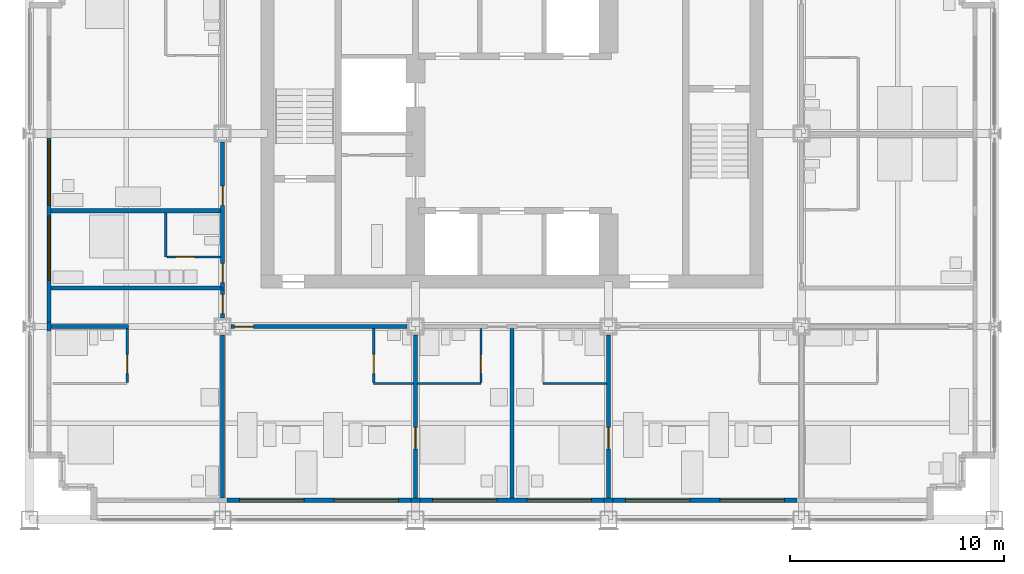
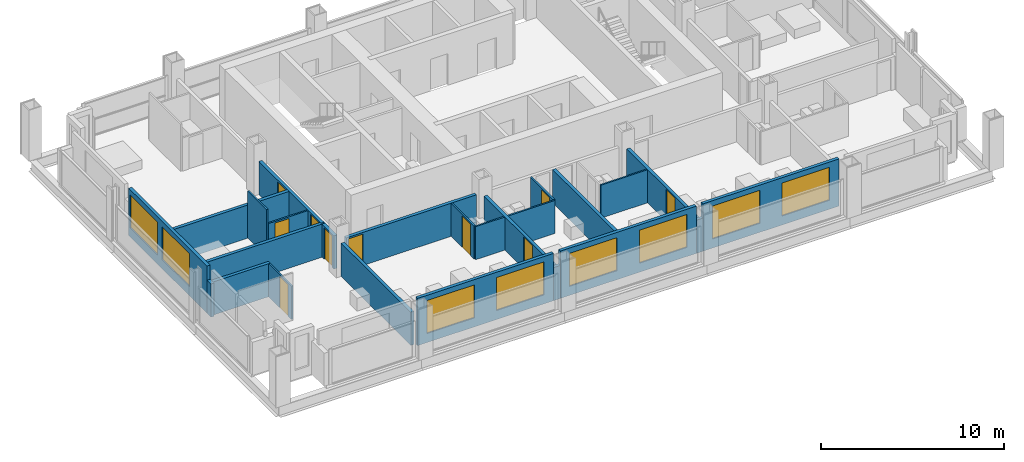
# One storey, part 7 of 13: 25 walls, 10 doors, 8 windows, 18 openings.
"""IFC4 building model written with IfcOpenShell, lengths in metres."""

from ifc_helpers import new_model, si_unit, direction, frame, frame_2d, origin, place, context, subcontext, project, spatial, rectangle, extrude, material, layer, layer_set, type_object, element, fill, save


model = new_model("IFC4")

# Units and contexts
model_context = context("Model", 3, precision=1e-05, world=origin(), true_north=direction((0.0, 1.0)))
body_context = subcontext(model_context, "Body", "Model", "MODEL_VIEW")
ifc_project = project(units=[si_unit("LENGTHUNIT", "METRE"), si_unit("AREAUNIT", "SQUARE_METRE"), si_unit("VOLUMEUNIT", "CUBIC_METRE"), si_unit("PLANEANGLEUNIT", "RADIAN"), si_unit("MASSUNIT", "GRAM", prefix="KILO")], contexts=[model_context])

# Site, building, storey
site_placement = place(None, origin())
site = spatial("IfcSite", under=ifc_project, at=site_placement, CompositionType="ELEMENT")
building_placement = place(site_placement, origin())
building = spatial("IfcBuilding", under=site, at=building_placement, Name="Loomwork Tower", CompositionType="ELEMENT")
storey_placement = place(building_placement, frame((0.0, 0.0, 218.199951171875)))
storey = spatial("IfcBuildingStorey", under=building, at=storey_placement, Name="L60", CompositionType="ELEMENT", Elevation=218.199951171875)

# Wall
ifc_material_1 = material(Name="Gypsum board on steel studs, one-hour", Category="steel")
ifc_layer_1 = layer(ifc_material_1, 0.199951171875)
ifc_layer_set_1 = layer_set([ifc_layer_1], Name="Corridor wall 200")
wall_type_1 = type_object("IfcWallType", Name="Corridor wall 200", PredefinedType="PARTITIONING", material=ifc_layer_set_1)
wall_1_placement = place(storey_placement, frame((1.0, 9.0, 0.0), z_axis=(0.0, 0.0, 1.0), x_axis=(1.0, 0.0, 0.0)))
element("IfcWall", 1, at=wall_1_placement, inside=storey, type_object=wall_type_1, Name="South corridor wall 1", PredefinedType="PARTITIONING", context=body_context, shape_type="SweptSolid", body=[
    extrude(rectangle(XDim=3.60009765625, YDim=0.199951171875, at=frame_2d((1.800048828125, 0.0))), origin(), (0.0, 0.0, 1.0), 2.210205078125),
])

# Wall, opening, door
wall_2_placement = place(storey_placement, frame((9.39990234375, 9.0, 0.0), z_axis=(0.0, 0.0, 1.0), x_axis=(1.0, 0.0, 0.0)))
wall_2 = element("IfcWall", 2, at=wall_2_placement, inside=storey, type_object=wall_type_1, Name="South corridor wall 2", PredefinedType="PARTITIONING", context=body_context, shape_type="SweptSolid", body=[
    extrude(rectangle(XDim=8.2001953125, YDim=0.199951171875, at=frame_2d((4.10009765625, 0.0))), origin(), (0.0, 0.0, 1.0), 2.210205078125),
])
opening_1_placement = place(wall_2_placement, frame((0.14990234375, 0.0, 0.0)))
opening_1 = element("IfcOpeningElement", 3, at=opening_1_placement, cuts=wall_2, Name="Opening D1", PredefinedType="OPENING", context=body_context, shape_type="SweptSolid", body=[
    extrude(rectangle(XDim=0.89990234375, YDim=2.10009765625, at=frame_2d((0.449951171875, 1.050048828125))), frame((0.0, 0.10986328125, 0.0), z_axis=(0.0, -1.0, 0.0), x_axis=(1.0, 0.0, 0.0)), (0.0, 0.0, 1.0), 0.219970703125),
])
ifc_material_2 = material(Name="Hollow metal door and frame")
door_type_1 = type_object("IfcDoorType", Name="Guest room entry door 900", OperationType="SINGLE_SWING_LEFT", PredefinedType="DOOR", material=ifc_material_2)
door_1_placement = place(opening_1_placement, frame((0.89990234375, 0.0, 0.0), z_axis=(0.0, 0.0, 1.0), x_axis=(-1.0, 0.0, 0.0)))
door_1 = element("IfcDoor", 4, at=door_1_placement, inside=storey, type_object=door_type_1, Name="Guest room entry door L60 2", OperationType="SINGLE_SWING_RIGHT", OverallHeight=2.10009765625, OverallWidth=0.89990234375, PredefinedType="DOOR", context=body_context, shape_type="SweptSolid", body=[
    extrude(rectangle(XDim=0.89990234375, YDim=2.10009765625, at=frame_2d((0.449951171875, 1.050048828125))), frame((0.0, 0.02490234375, 0.0), z_axis=(0.0, -1.0, 0.0), x_axis=(1.0, 0.0, 0.0)), (0.0, 0.0, 1.0), 0.050048828125),
])
fill(opening_1, door_1)

# Wall, openings, doors
wall_3_placement = place(storey_placement, frame((9.0, 10.800048828125, 0.0), z_axis=(0.0, 0.0, 1.0), x_axis=(0.0, 1.0, 0.0)))
wall_3 = element("IfcWall", 5, at=wall_3_placement, inside=storey, type_object=wall_type_1, Name="West corridor wall 1", PredefinedType="PARTITIONING", context=body_context, shape_type="SweptSolid", body=[
    extrude(rectangle(XDim=6.800048828125, YDim=0.199951171875, at=frame_2d((3.39990234375, 0.0))), origin(), (0.0, 0.0, 1.0), 2.210205078125),
])
opening_2_placement = place(wall_3_placement, frame((0.25, 0.0, 0.0)))
opening_2 = element("IfcOpeningElement", 6, at=opening_2_placement, cuts=wall_3, Name="Opening D1", PredefinedType="OPENING", context=body_context, shape_type="SweptSolid", body=[
    extrude(rectangle(XDim=0.89990234375, YDim=2.10009765625, at=frame_2d((0.449951171875, 1.050048828125))), frame((0.0, 0.10986328125, 0.0), z_axis=(0.0, -1.0, 0.0), x_axis=(1.0, 0.0, 0.0)), (0.0, 0.0, 1.0), 0.219970703125),
])
opening_3_placement = place(wall_3_placement, frame((3.85009765625, 0.0, 0.0)))
opening_3 = element("IfcOpeningElement", 7, at=opening_3_placement, cuts=wall_3, Name="Opening D1", PredefinedType="OPENING", context=body_context, shape_type="SweptSolid", body=[
    extrude(rectangle(XDim=0.89990234375, YDim=2.10009765625, at=frame_2d((0.449951171875, 1.050048828125))), frame((0.0, 0.10986328125, 0.0), z_axis=(0.0, -1.0, 0.0), x_axis=(1.0, 0.0, 0.0)), (0.0, 0.0, 1.0), 0.219970703125),
])
door_2_placement = place(opening_2_placement, origin())
door_2 = element("IfcDoor", 8, at=door_2_placement, inside=storey, type_object=door_type_1, Name="Guest room entry door L60 7", OperationType="SINGLE_SWING_LEFT", OverallHeight=2.10009765625, OverallWidth=0.89990234375, PredefinedType="DOOR", context=body_context, shape_type="SweptSolid", body=[
    extrude(rectangle(XDim=0.89990234375, YDim=2.10009765625, at=frame_2d((0.449951171875, 1.050048828125))), frame((0.0, 0.02490234375, 0.0), z_axis=(0.0, -1.0, 0.0), x_axis=(1.0, 0.0, 0.0)), (0.0, 0.0, 1.0), 0.050048828125),
])
fill(opening_2, door_2)
door_3_placement = place(opening_3_placement, origin())
door_3 = element("IfcDoor", 9, at=door_3_placement, inside=storey, type_object=door_type_1, Name="Guest room entry door L60 8", OperationType="SINGLE_SWING_LEFT", OverallHeight=2.10009765625, OverallWidth=0.89990234375, PredefinedType="DOOR", context=body_context, shape_type="SweptSolid", body=[
    extrude(rectangle(XDim=0.89990234375, YDim=2.10009765625, at=frame_2d((0.449951171875, 1.050048828125))), frame((0.0, 0.02490234375, 0.0), z_axis=(0.0, -1.0, 0.0), x_axis=(1.0, 0.0, 0.0)), (0.0, 0.0, 1.0), 0.050048828125),
])
fill(opening_3, door_3)

# Wall
wall_4_placement = place(storey_placement, frame((1.0, 10.800048828125, 0.0), z_axis=(0.0, 0.0, 1.0), x_axis=(1.0, 0.0, 0.0)))
element("IfcWall", 10, at=wall_4_placement, inside=storey, type_object=wall_type_1, Name="West band end wall S", PredefinedType="PARTITIONING", context=body_context, shape_type="SweptSolid", body=[
    extrude(rectangle(XDim=8.10009765625, YDim=0.199951171875, at=frame_2d((4.050048828125, 0.0))), origin(), (0.0, 0.0, 1.0), 2.2099609375),
])

# Wall, opening, door
wall_5_placement = place(storey_placement, frame((9.0, 9.39990234375, 0.0), z_axis=(0.0, 0.0, 1.0), x_axis=(0.0, 1.0, 0.0)))
wall_5 = element("IfcWall", 11, at=wall_5_placement, inside=storey, type_object=wall_type_1, Name="Corner suite foyer wall", PredefinedType="PARTITIONING", context=body_context, shape_type="SweptSolid", body=[
    extrude(rectangle(XDim=1.300048828125, YDim=0.199951171875, at=frame_2d((0.64990234375, 0.0))), origin(), (0.0, 0.0, 1.0), 2.210205078125),
])
opening_4_placement = place(wall_5_placement, frame((0.199951171875, 0.0, 0.0)))
opening_4 = element("IfcOpeningElement", 12, at=opening_4_placement, cuts=wall_5, Name="Opening D1", PredefinedType="OPENING", context=body_context, shape_type="SweptSolid", body=[
    extrude(rectangle(XDim=0.89990234375, YDim=2.10009765625, at=frame_2d((0.449951171875, 1.050048828125))), frame((0.0, 0.10986328125, 0.0), z_axis=(0.0, -1.0, 0.0), x_axis=(1.0, 0.0, 0.0)), (0.0, 0.0, 1.0), 0.219970703125),
])
door_4_placement = place(opening_4_placement, origin())
door_4 = element("IfcDoor", 13, at=door_4_placement, inside=storey, type_object=door_type_1, Name="Guest room entry door L60 1", OperationType="SINGLE_SWING_RIGHT", OverallHeight=2.10009765625, OverallWidth=0.89990234375, PredefinedType="DOOR", context=body_context, shape_type="SweptSolid", body=[
    extrude(rectangle(XDim=0.89990234375, YDim=2.10009765625, at=frame_2d((0.449951171875, 1.050048828125))), frame((0.0, 0.02490234375, 0.0), z_axis=(0.0, -1.0, 0.0), x_axis=(1.0, 0.0, 0.0)), (0.0, 0.0, 1.0), 0.050048828125),
])
fill(opening_4, door_4)

ifc_material_3 = material(Name="Cement board on steel studs", Category="steel")
ifc_layer_2 = layer(ifc_material_3, 0.10009765625)
ifc_layer_set_2 = layer_set([ifc_layer_2], Name="En-suite partition 100")
wall_type_2 = type_object("IfcWallType", Name="En-suite partition 100", PredefinedType="PARTITIONING", material=ifc_layer_set_2)
wall_6_placement = place(storey_placement, frame((4.550048828125, 8.89990234375, 0.0), z_axis=(0.0, 0.0, 1.0), x_axis=(0.0, -1.0, 0.0)))
wall_6 = element("IfcWall", 14, at=wall_6_placement, inside=storey, type_object=wall_type_2, Name="En-suite side wall L60 room 1", PredefinedType="PARTITIONING", context=body_context, shape_type="SweptSolid", body=[
    extrude(rectangle(XDim=2.5, YDim=0.10009765625, at=frame_2d((1.25, 0.0))), origin(), (0.0, 0.0, 1.0), 2.2099609375),
])
opening_5_placement = place(wall_6_placement, frame((1.199951171875, 0.0, 0.0)))
opening_5 = element("IfcOpeningElement", 15, at=opening_5_placement, cuts=wall_6, Name="Opening D3", PredefinedType="OPENING", context=body_context, shape_type="SweptSolid", body=[
    extrude(rectangle(XDim=0.89990234375, YDim=2.10009765625, at=frame_2d((0.449951171875, 1.050048828125))), frame((0.0, 0.06005859375, 0.0), z_axis=(0.0, -1.0, 0.0), x_axis=(1.0, 0.0, 0.0)), (0.0, 0.0, 1.0), 0.1201171875),
])
ifc_material_4 = material(Name="Hollow metal door and frame")
door_type_2 = type_object("IfcDoorType", Name="Accessible en-suite door 900", OperationType="SLIDING_TO_LEFT", PredefinedType="DOOR", material=ifc_material_4)
door_5_placement = place(opening_5_placement, origin())
door_5 = element("IfcDoor", 16, at=door_5_placement, inside=storey, type_object=door_type_2, Name="Accessible en-suite door room 1", OperationType="SLIDING_TO_LEFT", OverallHeight=2.10009765625, OverallWidth=0.89990234375, PredefinedType="DOOR", context=body_context, shape_type="SweptSolid", body=[
    extrude(rectangle(XDim=0.89990234375, YDim=2.10009765625, at=frame_2d((0.449951171875, 1.050048828125))), frame((0.0, 0.02490234375, 0.0), z_axis=(0.0, -1.0, 0.0), x_axis=(1.0, 0.0, 0.0)), (0.0, 0.0, 1.0), 0.050048828125),
])
fill(opening_5, door_5)

# Wall
wall_7_placement = place(storey_placement, frame((16.050048828125, 6.35009765625, 0.0), z_axis=(0.0, 0.0, 1.0), x_axis=(1.0, 0.0, 0.0)))
element("IfcWall", 17, at=wall_7_placement, inside=storey, type_object=wall_type_2, Name="En-suite wall L60 room 2", PredefinedType="PARTITIONING", context=body_context, shape_type="SweptSolid", body=[
    extrude(rectangle(XDim=1.849853515625, YDim=0.10009765625, at=frame_2d((0.9248046875, 0.0))), origin(), (0.0, 0.0, 1.0), 2.2021484375),
])

# Wall, opening, door
wall_8_placement = place(storey_placement, frame((16.050048828125, 8.89990234375, 0.0), z_axis=(0.0, 0.0, 1.0), x_axis=(0.0, -1.0, 0.0)))
wall_8 = element("IfcWall", 18, at=wall_8_placement, inside=storey, type_object=wall_type_2, Name="En-suite side wall L60 room 2", PredefinedType="PARTITIONING", context=body_context, shape_type="SweptSolid", body=[
    extrude(rectangle(XDim=2.5, YDim=0.10009765625, at=frame_2d((1.25, 0.0))), origin(), (0.0, 0.0, 1.0), 2.2099609375),
])
opening_6_placement = place(wall_8_placement, frame((1.199951171875, 0.0, 0.0)))
opening_6 = element("IfcOpeningElement", 19, at=opening_6_placement, cuts=wall_8, Name="Opening D2", PredefinedType="OPENING", context=body_context, shape_type="SweptSolid", body=[
    extrude(rectangle(XDim=0.89990234375, YDim=2.10009765625, at=frame_2d((0.449951171875, 1.050048828125))), frame((0.0, 0.06005859375, 0.0), z_axis=(0.0, -1.0, 0.0), x_axis=(1.0, 0.0, 0.0)), (0.0, 0.0, 1.0), 0.1201171875),
])
ifc_material_5 = material(Name="Hollow metal door and frame")
door_type_3 = type_object("IfcDoorType", Name="En-suite door 900", OperationType="SINGLE_SWING_LEFT", PredefinedType="DOOR", material=ifc_material_5)
door_6_placement = place(opening_6_placement, origin())
door_6 = element("IfcDoor", 20, at=door_6_placement, inside=storey, type_object=door_type_3, Name="Suite powder room door room 2", OperationType="SINGLE_SWING_RIGHT", OverallHeight=2.10009765625, OverallWidth=0.89990234375, PredefinedType="DOOR", context=body_context, shape_type="SweptSolid", body=[
    extrude(rectangle(XDim=0.89990234375, YDim=2.10009765625, at=frame_2d((0.449951171875, 1.050048828125))), frame((0.0, 0.02490234375, 0.0), z_axis=(0.0, -1.0, 0.0), x_axis=(1.0, 0.0, 0.0)), (0.0, 0.0, 1.0), 0.050048828125),
])
fill(opening_6, door_6)

# Wall
wall_9_placement = place(storey_placement, frame((18.10009765625, 6.35009765625, 0.0), z_axis=(0.0, 0.0, 1.0), x_axis=(1.0, 0.0, 0.0)))
element("IfcWall", 21, at=wall_9_placement, inside=storey, type_object=wall_type_2, Name="En-suite wall L60 room 3", PredefinedType="PARTITIONING", context=body_context, shape_type="SweptSolid", body=[
    extrude(rectangle(XDim=2.949951171875, YDim=0.10009765625, at=frame_2d((1.47509765625, 0.0))), origin(), (0.0, 0.0, 1.0), 2.2021484375),
])

# Wall, opening, door
wall_10_placement = place(storey_placement, frame((21.050048828125, 8.89990234375, 0.0), z_axis=(0.0, 0.0, 1.0), x_axis=(0.0, -1.0, 0.0)))
wall_10 = element("IfcWall", 22, at=wall_10_placement, inside=storey, type_object=wall_type_2, Name="En-suite side wall L60 room 3", PredefinedType="PARTITIONING", context=body_context, shape_type="SweptSolid", body=[
    extrude(rectangle(XDim=2.5, YDim=0.10009765625, at=frame_2d((1.25, 0.0))), origin(), (0.0, 0.0, 1.0), 2.2099609375),
])
opening_7_placement = place(wall_10_placement, frame((1.199951171875, 0.0, 0.0)))
opening_7 = element("IfcOpeningElement", 23, at=opening_7_placement, cuts=wall_10, Name="Opening D2", PredefinedType="OPENING", context=body_context, shape_type="SweptSolid", body=[
    extrude(rectangle(XDim=0.89990234375, YDim=2.10009765625, at=frame_2d((0.449951171875, 1.050048828125))), frame((0.0, 0.06005859375, 0.0), z_axis=(0.0, -1.0, 0.0), x_axis=(1.0, 0.0, 0.0)), (0.0, 0.0, 1.0), 0.1201171875),
])
door_7_placement = place(opening_7_placement, frame((0.89990234375, 0.0, 0.0), z_axis=(0.0, 0.0, 1.0), x_axis=(-1.0, 0.0, 0.0)))
door_7 = element("IfcDoor", 24, at=door_7_placement, inside=storey, type_object=door_type_3, Name="En-suite door room 3", OperationType="SINGLE_SWING_LEFT", OverallHeight=2.10009765625, OverallWidth=0.89990234375, PredefinedType="DOOR", context=body_context, shape_type="SweptSolid", body=[
    extrude(rectangle(XDim=0.89990234375, YDim=2.10009765625, at=frame_2d((0.449951171875, 1.050048828125))), frame((0.0, 0.02490234375, 0.0), z_axis=(0.0, -1.0, 0.0), x_axis=(1.0, 0.0, 0.0)), (0.0, 0.0, 1.0), 0.050048828125),
])
fill(opening_7, door_7)

# Walls
wall_11_placement = place(storey_placement, frame((23.949951171875, 6.35009765625, 0.0), z_axis=(0.0, 0.0, 1.0), x_axis=(1.0, 0.0, 0.0)))
element("IfcWall", 25, at=wall_11_placement, inside=storey, type_object=wall_type_2, Name="En-suite wall L60 room 4", PredefinedType="PARTITIONING", context=body_context, shape_type="SweptSolid", body=[
    extrude(rectangle(XDim=2.949951171875, YDim=0.10009765625, at=frame_2d((1.47509765625, 0.0))), origin(), (0.0, 0.0, 1.0), 2.2021484375),
])
wall_12_placement = place(storey_placement, frame((6.35009765625, 12.25, 0.0), z_axis=(0.0, 0.0, 1.0), x_axis=(0.0, 1.0, 0.0)))
element("IfcWall", 26, at=wall_12_placement, inside=storey, type_object=wall_type_2, Name="En-suite wall L60 room 7", PredefinedType="PARTITIONING", context=body_context, shape_type="SweptSolid", body=[
    extrude(rectangle(XDim=2.050048828125, YDim=0.10009765625, at=frame_2d((1.02490234375, 0.0))), origin(), (0.0, 0.0, 1.0), 3.150146484375),
])

# Wall, opening, door
wall_13_placement = place(storey_placement, frame((8.89990234375, 12.25, 0.0), z_axis=(0.0, 0.0, 1.0), x_axis=(-1.0, 0.0, 0.0)))
wall_13 = element("IfcWall", 27, at=wall_13_placement, inside=storey, type_object=wall_type_2, Name="En-suite side wall L60 room 7", PredefinedType="PARTITIONING", context=body_context, shape_type="SweptSolid", body=[
    extrude(rectangle(XDim=2.5, YDim=0.10009765625, at=frame_2d((1.25, 0.0))), origin(), (0.0, 0.0, 1.0), 2.2099609375),
])
opening_8_placement = place(wall_13_placement, frame((1.199951171875, 0.0, 0.0)))
opening_8 = element("IfcOpeningElement", 28, at=opening_8_placement, cuts=wall_13, Name="Opening D2", PredefinedType="OPENING", context=body_context, shape_type="SweptSolid", body=[
    extrude(rectangle(XDim=0.89990234375, YDim=2.10009765625, at=frame_2d((0.449951171875, 1.050048828125))), frame((0.0, 0.06005859375, 0.0), z_axis=(0.0, -1.0, 0.0), x_axis=(1.0, 0.0, 0.0)), (0.0, 0.0, 1.0), 0.1201171875),
])
door_8_placement = place(opening_8_placement, frame((0.89990234375, 0.0, 0.0), z_axis=(0.0, 0.0, 1.0), x_axis=(-1.0, 0.0, 0.0)))
door_8 = element("IfcDoor", 29, at=door_8_placement, inside=storey, type_object=door_type_3, Name="En-suite door room 7", OperationType="SINGLE_SWING_LEFT", OverallHeight=2.10009765625, OverallWidth=0.89990234375, PredefinedType="DOOR", context=body_context, shape_type="SweptSolid", body=[
    extrude(rectangle(XDim=0.89990234375, YDim=2.10009765625, at=frame_2d((0.449951171875, 1.050048828125))), frame((0.0, 0.02490234375, 0.0), z_axis=(0.0, -1.0, 0.0), x_axis=(1.0, 0.0, 0.0)), (0.0, 0.0, 1.0), 0.050048828125),
])
fill(opening_8, door_8)

# Wall
ifc_material_6 = material(Name="Gypsum board on steel studs, acoustic", Category="steel")
ifc_layer_3 = layer(ifc_material_6, 0.199951171875)
ifc_layer_set_3 = layer_set([ifc_layer_3], Name="Guest room party wall 200")
wall_type_3 = type_object("IfcWallType", Name="Guest room party wall 200", PredefinedType="PARTITIONING", material=ifc_layer_set_3)
wall_14_placement = place(storey_placement, frame((9.0, 8.60009765625, 0.0), z_axis=(0.0, 0.0, 1.0), x_axis=(0.0, -1.0, 0.0)))
element("IfcWall", 30, at=wall_14_placement, inside=storey, type_object=wall_type_3, Name="Guest room party wall S 9", PredefinedType="PARTITIONING", context=body_context, shape_type="SweptSolid", body=[
    extrude(rectangle(XDim=7.60009765625, YDim=0.199951171875, at=frame_2d((3.800048828125, 0.0))), origin(), (0.0, 0.0, 1.0), 2.210205078125),
])

# Wall, opening, door
wall_15_placement = place(storey_placement, frame((18.0, 8.60009765625, 0.0), z_axis=(0.0, 0.0, 1.0), x_axis=(0.0, -1.0, 0.0)))
wall_15 = element("IfcWall", 31, at=wall_15_placement, inside=storey, type_object=wall_type_3, Name="Guest room party wall S 18", PredefinedType="PARTITIONING", context=body_context, shape_type="SweptSolid", body=[
    extrude(rectangle(XDim=7.60009765625, YDim=0.199951171875, at=frame_2d((3.800048828125, 0.0))), origin(), (0.0, 0.0, 1.0), 2.20263671875),
])
opening_9_placement = place(wall_15_placement, frame((4.300048828125, 0.0, 0.0)))
opening_9 = element("IfcOpeningElement", 32, at=opening_9_placement, cuts=wall_15, Name="Opening D7", PredefinedType="OPENING", context=body_context, shape_type="SweptSolid", body=[
    extrude(rectangle(XDim=1.0, YDim=2.10009765625, at=frame_2d((0.5, 1.050048828125))), frame((0.0, 0.10986328125, 0.0), z_axis=(0.0, -1.0, 0.0), x_axis=(1.0, 0.0, 0.0)), (0.0, 0.0, 1.0), 0.219970703125),
])
ifc_material_7 = material(Name="Hollow metal door and frame")
door_type_4 = type_object("IfcDoorType", Name="Room door 1000", OperationType="SINGLE_SWING_LEFT", PredefinedType="DOOR", material=ifc_material_7)
door_9_placement = place(opening_9_placement, origin())
door_9 = element("IfcDoor", 33, at=door_9_placement, inside=storey, type_object=door_type_4, Name="Suite connecting door L60 S 18", OperationType="SINGLE_SWING_LEFT", OverallHeight=2.10009765625, OverallWidth=1.0, PredefinedType="DOOR", context=body_context, shape_type="SweptSolid", body=[
    extrude(rectangle(XDim=1.0, YDim=2.10009765625, at=frame_2d((0.5, 1.050048828125))), frame((0.0, 0.02490234375, 0.0), z_axis=(0.0, -1.0, 0.0), x_axis=(1.0, 0.0, 0.0)), (0.0, 0.0, 1.0), 0.050048828125),
])
fill(opening_9, door_9)

# Wall
wall_16_placement = place(storey_placement, frame((22.5, 8.89990234375, 0.0), z_axis=(0.0, 0.0, 1.0), x_axis=(0.0, -1.0, 0.0)))
element("IfcWall", 34, at=wall_16_placement, inside=storey, type_object=wall_type_3, Name="Guest room party wall S 22.5", PredefinedType="PARTITIONING", context=body_context, shape_type="SweptSolid", body=[
    extrude(rectangle(XDim=7.89990234375, YDim=0.199951171875, at=frame_2d((3.949951171875, 0.0))), origin(), (0.0, 0.0, 1.0), 2.2099609375),
])

# Wall, opening, door
wall_17_placement = place(storey_placement, frame((27.0, 8.60009765625, 0.0), z_axis=(0.0, 0.0, 1.0), x_axis=(0.0, -1.0, 0.0)))
wall_17 = element("IfcWall", 35, at=wall_17_placement, inside=storey, type_object=wall_type_3, Name="Guest room party wall S 27", PredefinedType="PARTITIONING", context=body_context, shape_type="SweptSolid", body=[
    extrude(rectangle(XDim=7.60009765625, YDim=0.199951171875, at=frame_2d((3.800048828125, 0.0))), origin(), (0.0, 0.0, 1.0), 2.20263671875),
])
opening_10_placement = place(wall_17_placement, frame((4.300048828125, 0.0, 0.0)))
opening_10 = element("IfcOpeningElement", 36, at=opening_10_placement, cuts=wall_17, Name="Opening D7", PredefinedType="OPENING", context=body_context, shape_type="SweptSolid", body=[
    extrude(rectangle(XDim=1.0, YDim=2.10009765625, at=frame_2d((0.5, 1.050048828125))), frame((0.0, 0.10986328125, 0.0), z_axis=(0.0, -1.0, 0.0), x_axis=(1.0, 0.0, 0.0)), (0.0, 0.0, 1.0), 0.219970703125),
])
door_10_placement = place(opening_10_placement, frame((1.0, 0.0, 0.0), z_axis=(0.0, 0.0, 1.0), x_axis=(-1.0, 0.0, 0.0)))
door_10 = element("IfcDoor", 37, at=door_10_placement, inside=storey, type_object=door_type_4, Name="Suite connecting door L60 S 27", OperationType="SINGLE_SWING_RIGHT", OverallHeight=2.10009765625, OverallWidth=1.0, PredefinedType="DOOR", context=body_context, shape_type="SweptSolid", body=[
    extrude(rectangle(XDim=1.0, YDim=2.10009765625, at=frame_2d((0.5, 1.050048828125))), frame((0.0, 0.02490234375, 0.0), z_axis=(0.0, -1.0, 0.0), x_axis=(1.0, 0.0, 0.0)), (0.0, 0.0, 1.0), 0.050048828125),
])
fill(opening_10, door_10)

# Wall
wall_18_placement = place(storey_placement, frame((8.89990234375, 14.39990234375, 0.0), z_axis=(0.0, 0.0, 1.0), x_axis=(-1.0, 0.0, 0.0)))
element("IfcWall", 38, at=wall_18_placement, inside=storey, type_object=wall_type_3, Name="Guest room party wall W 14.4", PredefinedType="PARTITIONING", context=body_context, shape_type="SweptSolid", body=[
    extrude(rectangle(XDim=7.89990234375, YDim=0.199951171875, at=frame_2d((3.949951171875, 0.0))), origin(), (0.0, 0.0, 1.0), 2.2099609375),
])

# Wall, openings, windows
ifc_material_8 = material(Name="Insulated steel stud wall with gypsum lining", Category="steel")
ifc_layer_4 = layer(ifc_material_8, 0.199951171875)
ifc_layer_set_4 = layer_set([ifc_layer_4], Name="Inner skin wall 200")
wall_type_4 = type_object("IfcWallType", Name="Inner skin wall 200", PredefinedType="SOLIDWALL", material=ifc_layer_set_4)
wall_19_placement = place(storey_placement, frame((9.21533203125, 0.89990234375, 0.0), z_axis=(0.0, 0.0, 1.0), x_axis=(1.0, 0.0, 0.0)))
wall_19 = element("IfcWall", 39, at=wall_19_placement, inside=storey, type_object=wall_type_4, Name="Inner skin wall S bay 3", PredefinedType="SOLIDWALL", context=body_context, shape_type="SweptSolid", body=[
    extrude(rectangle(XDim=8.570556640625, YDim=0.199951171875, at=frame_2d((4.28515625, 0.0))), origin(), (0.0, 0.0, 1.0), 3.150146484375),
])
opening_11_placement = place(wall_19_placement, frame((0.584716796875, 0.0, 0.60009765625)))
opening_11 = element("IfcOpeningElement", 40, at=opening_11_placement, cuts=wall_19, Name="Opening CH1", PredefinedType="OPENING", context=body_context, shape_type="SweptSolid", body=[
    extrude(rectangle(XDim=3.0, YDim=2.199951171875, at=frame_2d((1.5, 1.10009765625))), frame((0.0, 0.10986328125, 0.0), z_axis=(0.0, -1.0, 0.0), x_axis=(1.0, 0.0, 0.0)), (0.0, 0.0, 1.0), 0.219970703125),
])
opening_12_placement = place(wall_19_placement, frame((4.984619140625, 0.0, 0.60009765625)))
opening_12 = element("IfcOpeningElement", 41, at=opening_12_placement, cuts=wall_19, Name="Opening CH1", PredefinedType="OPENING", context=body_context, shape_type="SweptSolid", body=[
    extrude(rectangle(XDim=3.0, YDim=2.199951171875, at=frame_2d((1.5, 1.10009765625))), frame((0.0, 0.10986328125, 0.0), z_axis=(0.0, -1.0, 0.0), x_axis=(1.0, 0.0, 0.0)), (0.0, 0.0, 1.0), 0.219970703125),
])
ifc_material_9 = material(Name="Aluminium frame with clear insulated glass", Category="aluminium")
window_type = type_object("IfcWindowType", Name="Chicago window 3000", PartitioningType="TRIPLE_PANEL_VERTICAL", PredefinedType="WINDOW", material=ifc_material_9)
window_1_placement = place(opening_11_placement, origin())
window_1 = element("IfcWindow", 42, at=window_1_placement, inside=storey, type_object=window_type, Name="Chicago window L60 bay 2", OverallHeight=2.199951171875, OverallWidth=3.0, PartitioningType="TRIPLE_PANEL_VERTICAL", PredefinedType="WINDOW", context=body_context, shape_type="SweptSolid", body=[
    extrude(rectangle(XDim=3.0, YDim=2.199951171875, at=frame_2d((1.5, 1.10009765625))), frame((0.0, 0.030029296875, 0.0), z_axis=(0.0, -1.0, 0.0), x_axis=(1.0, 0.0, 0.0)), (0.0, 0.0, 1.0), 0.06005859375),
])
fill(opening_11, window_1)
window_2_placement = place(opening_12_placement, origin())
window_2 = element("IfcWindow", 43, at=window_2_placement, inside=storey, type_object=window_type, Name="Chicago window L60 bay 2", OverallHeight=2.199951171875, OverallWidth=3.0, PartitioningType="TRIPLE_PANEL_VERTICAL", PredefinedType="WINDOW", context=body_context, shape_type="SweptSolid", body=[
    extrude(rectangle(XDim=3.0, YDim=2.199951171875, at=frame_2d((1.5, 1.10009765625))), frame((0.0, 0.030029296875, 0.0), z_axis=(0.0, -1.0, 0.0), x_axis=(1.0, 0.0, 0.0)), (0.0, 0.0, 1.0), 0.06005859375),
])
fill(opening_12, window_2)

# Wall
wall_20_placement = place(storey_placement, frame((17.785888671875, 0.89990234375, 0.0), z_axis=(0.0, 0.0, 1.0), x_axis=(1.0, 0.0, 0.0)))
element("IfcWall", 44, at=wall_20_placement, inside=storey, type_object=wall_type_4, Name="Inner skin wall S bay 4", PredefinedType="SOLIDWALL", context=body_context, shape_type="SweptSolid", body=[
    extrude(rectangle(XDim=0.42822265625, YDim=0.199951171875, at=frame_2d((0.214111328125, 0.0))), origin(), (0.0, 0.0, 1.0), 2.2021484375),
])

# Wall, openings, windows
wall_21_placement = place(storey_placement, frame((18.214111328125, 0.89990234375, 0.0), z_axis=(0.0, 0.0, 1.0), x_axis=(1.0, 0.0, 0.0)))
wall_21 = element("IfcWall", 45, at=wall_21_placement, inside=storey, type_object=wall_type_4, Name="Inner skin wall S bay 5", PredefinedType="SOLIDWALL", context=body_context, shape_type="SweptSolid", body=[
    extrude(rectangle(XDim=8.57177734375, YDim=0.199951171875, at=frame_2d((4.285888671875, 0.0))), origin(), (0.0, 0.0, 1.0), 3.150146484375),
])
opening_13_placement = place(wall_21_placement, frame((0.5859375, 0.0, 0.60009765625)))
opening_13 = element("IfcOpeningElement", 46, at=opening_13_placement, cuts=wall_21, Name="Opening CH1", PredefinedType="OPENING", context=body_context, shape_type="SweptSolid", body=[
    extrude(rectangle(XDim=3.0, YDim=2.199951171875, at=frame_2d((1.5, 1.10009765625))), frame((0.0, 0.10986328125, 0.0), z_axis=(0.0, -1.0, 0.0), x_axis=(1.0, 0.0, 0.0)), (0.0, 0.0, 1.0), 0.219970703125),
])
opening_14_placement = place(wall_21_placement, frame((4.98583984375, 0.0, 0.60009765625)))
opening_14 = element("IfcOpeningElement", 47, at=opening_14_placement, cuts=wall_21, Name="Opening CH1", PredefinedType="OPENING", context=body_context, shape_type="SweptSolid", body=[
    extrude(rectangle(XDim=3.0, YDim=2.199951171875, at=frame_2d((1.5, 1.10009765625))), frame((0.0, 0.10986328125, 0.0), z_axis=(0.0, -1.0, 0.0), x_axis=(1.0, 0.0, 0.0)), (0.0, 0.0, 1.0), 0.219970703125),
])
window_3_placement = place(opening_13_placement, origin())
window_3 = element("IfcWindow", 48, at=window_3_placement, inside=storey, type_object=window_type, Name="Chicago window L60 bay 3", OverallHeight=2.199951171875, OverallWidth=3.0, PartitioningType="TRIPLE_PANEL_VERTICAL", PredefinedType="WINDOW", context=body_context, shape_type="SweptSolid", body=[
    extrude(rectangle(XDim=3.0, YDim=2.199951171875, at=frame_2d((1.5, 1.10009765625))), frame((0.0, 0.030029296875, 0.0), z_axis=(0.0, -1.0, 0.0), x_axis=(1.0, 0.0, 0.0)), (0.0, 0.0, 1.0), 0.06005859375),
])
fill(opening_13, window_3)
window_4_placement = place(opening_14_placement, origin())
window_4 = element("IfcWindow", 49, at=window_4_placement, inside=storey, type_object=window_type, Name="Chicago window L60 bay 3", OverallHeight=2.199951171875, OverallWidth=3.0, PartitioningType="TRIPLE_PANEL_VERTICAL", PredefinedType="WINDOW", context=body_context, shape_type="SweptSolid", body=[
    extrude(rectangle(XDim=3.0, YDim=2.199951171875, at=frame_2d((1.5, 1.10009765625))), frame((0.0, 0.030029296875, 0.0), z_axis=(0.0, -1.0, 0.0), x_axis=(1.0, 0.0, 0.0)), (0.0, 0.0, 1.0), 0.06005859375),
])
fill(opening_14, window_4)

# Wall
wall_22_placement = place(storey_placement, frame((26.785888671875, 0.89990234375, 0.0), z_axis=(0.0, 0.0, 1.0), x_axis=(1.0, 0.0, 0.0)))
element("IfcWall", 50, at=wall_22_placement, inside=storey, type_object=wall_type_4, Name="Inner skin wall S bay 6", PredefinedType="SOLIDWALL", context=body_context, shape_type="SweptSolid", body=[
    extrude(rectangle(XDim=0.42822265625, YDim=0.199951171875, at=frame_2d((0.214111328125, 0.0))), origin(), (0.0, 0.0, 1.0), 2.2021484375),
])

# Wall, openings, windows
wall_23_placement = place(storey_placement, frame((27.214111328125, 0.89990234375, 0.0), z_axis=(0.0, 0.0, 1.0), x_axis=(1.0, 0.0, 0.0)))
wall_23 = element("IfcWall", 51, at=wall_23_placement, inside=storey, type_object=wall_type_4, Name="Inner skin wall S bay 7", PredefinedType="SOLIDWALL", context=body_context, shape_type="SweptSolid", body=[
    extrude(rectangle(XDim=8.570556640625, YDim=0.199951171875, at=frame_2d((4.28515625, 0.0))), origin(), (0.0, 0.0, 1.0), 3.150146484375),
])
opening_15_placement = place(wall_23_placement, frame((0.5859375, 0.0, 0.60009765625)))
opening_15 = element("IfcOpeningElement", 52, at=opening_15_placement, cuts=wall_23, Name="Opening CH1", PredefinedType="OPENING", context=body_context, shape_type="SweptSolid", body=[
    extrude(rectangle(XDim=3.0, YDim=2.199951171875, at=frame_2d((1.5, 1.10009765625))), frame((0.0, 0.10986328125, 0.0), z_axis=(0.0, -1.0, 0.0), x_axis=(1.0, 0.0, 0.0)), (0.0, 0.0, 1.0), 0.219970703125),
])
opening_16_placement = place(wall_23_placement, frame((4.98583984375, 0.0, 0.60009765625)))
opening_16 = element("IfcOpeningElement", 53, at=opening_16_placement, cuts=wall_23, Name="Opening CH1", PredefinedType="OPENING", context=body_context, shape_type="SweptSolid", body=[
    extrude(rectangle(XDim=3.0, YDim=2.199951171875, at=frame_2d((1.5, 1.10009765625))), frame((0.0, 0.10986328125, 0.0), z_axis=(0.0, -1.0, 0.0), x_axis=(1.0, 0.0, 0.0)), (0.0, 0.0, 1.0), 0.219970703125),
])
window_5_placement = place(opening_15_placement, origin())
window_5 = element("IfcWindow", 54, at=window_5_placement, inside=storey, type_object=window_type, Name="Chicago window L60 bay 4", OverallHeight=2.199951171875, OverallWidth=3.0, PartitioningType="TRIPLE_PANEL_VERTICAL", PredefinedType="WINDOW", context=body_context, shape_type="SweptSolid", body=[
    extrude(rectangle(XDim=3.0, YDim=2.199951171875, at=frame_2d((1.5, 1.10009765625))), frame((0.0, 0.030029296875, 0.0), z_axis=(0.0, -1.0, 0.0), x_axis=(1.0, 0.0, 0.0)), (0.0, 0.0, 1.0), 0.06005859375),
])
fill(opening_15, window_5)
window_6_placement = place(opening_16_placement, origin())
window_6 = element("IfcWindow", 55, at=window_6_placement, inside=storey, type_object=window_type, Name="Chicago window L60 bay 4", OverallHeight=2.199951171875, OverallWidth=3.0, PartitioningType="TRIPLE_PANEL_VERTICAL", PredefinedType="WINDOW", context=body_context, shape_type="SweptSolid", body=[
    extrude(rectangle(XDim=3.0, YDim=2.199951171875, at=frame_2d((1.5, 1.10009765625))), frame((0.0, 0.030029296875, 0.0), z_axis=(0.0, -1.0, 0.0), x_axis=(1.0, 0.0, 0.0)), (0.0, 0.0, 1.0), 0.06005859375),
])
fill(opening_16, window_6)

# Wall
wall_24_placement = place(storey_placement, frame((0.89990234375, 8.78466796875, 0.0), z_axis=(0.0, 0.0, 1.0), x_axis=(0.0, 1.0, 0.0)))
element("IfcWall", 56, at=wall_24_placement, inside=storey, type_object=wall_type_4, Name="Inner skin wall W bay 5", PredefinedType="SOLIDWALL", context=body_context, shape_type="SweptSolid", body=[
    extrude(rectangle(XDim=0.4306640625, YDim=0.199951171875, at=frame_2d((0.21533203125, 0.0))), origin(), (0.0, 0.0, 1.0), 2.2099609375),
])

# Wall, openings, windows
wall_25_placement = place(storey_placement, frame((0.89990234375, 9.21533203125, 0.0), z_axis=(0.0, 0.0, 1.0), x_axis=(0.0, 1.0, 0.0)))
wall_25 = element("IfcWall", 57, at=wall_25_placement, inside=storey, type_object=wall_type_4, Name="Inner skin wall W bay 6", PredefinedType="SOLIDWALL", context=body_context, shape_type="SweptSolid", body=[
    extrude(rectangle(XDim=8.570556640625, YDim=0.199951171875, at=frame_2d((4.28515625, 0.0))), origin(), (0.0, 0.0, 1.0), 3.150146484375),
])
opening_17_placement = place(wall_25_placement, frame((1.9345703125, 0.0, 0.60009765625)))
opening_17 = element("IfcOpeningElement", 58, at=opening_17_placement, cuts=wall_25, Name="Opening CH1", PredefinedType="OPENING", context=body_context, shape_type="SweptSolid", body=[
    extrude(rectangle(XDim=3.0, YDim=2.199951171875, at=frame_2d((1.5, 1.10009765625))), frame((0.0, 0.10986328125, 0.0), z_axis=(0.0, -1.0, 0.0), x_axis=(1.0, 0.0, 0.0)), (0.0, 0.0, 1.0), 0.219970703125),
])
opening_18_placement = place(wall_25_placement, frame((5.4345703125, 0.0, 0.60009765625)))
opening_18 = element("IfcOpeningElement", 59, at=opening_18_placement, cuts=wall_25, Name="Opening CH1", PredefinedType="OPENING", context=body_context, shape_type="SweptSolid", body=[
    extrude(rectangle(XDim=3.0, YDim=2.199951171875, at=frame_2d((1.5, 1.10009765625))), frame((0.0, 0.10986328125, 0.0), z_axis=(0.0, -1.0, 0.0), x_axis=(1.0, 0.0, 0.0)), (0.0, 0.0, 1.0), 0.219970703125),
])
window_7_placement = place(opening_17_placement, origin())
window_7 = element("IfcWindow", 60, at=window_7_placement, inside=storey, type_object=window_type, Name="Chicago window L60 bay 6", OverallHeight=2.199951171875, OverallWidth=3.0, PartitioningType="TRIPLE_PANEL_VERTICAL", PredefinedType="WINDOW", context=body_context, shape_type="SweptSolid", body=[
    extrude(rectangle(XDim=3.0, YDim=2.199951171875, at=frame_2d((1.5, 1.10009765625))), frame((0.0, 0.030029296875, 0.0), z_axis=(0.0, -1.0, 0.0), x_axis=(1.0, 0.0, 0.0)), (0.0, 0.0, 1.0), 0.06005859375),
])
fill(opening_17, window_7)
window_8_placement = place(opening_18_placement, origin())
window_8 = element("IfcWindow", 61, at=window_8_placement, inside=storey, type_object=window_type, Name="Chicago window L60 bay 6", OverallHeight=2.199951171875, OverallWidth=3.0, PartitioningType="TRIPLE_PANEL_VERTICAL", PredefinedType="WINDOW", context=body_context, shape_type="SweptSolid", body=[
    extrude(rectangle(XDim=3.0, YDim=2.199951171875, at=frame_2d((1.5, 1.10009765625))), frame((0.0, 0.030029296875, 0.0), z_axis=(0.0, -1.0, 0.0), x_axis=(1.0, 0.0, 0.0)), (0.0, 0.0, 1.0), 0.06005859375),
])
fill(opening_18, window_8)

save(model, "model.ifc")
